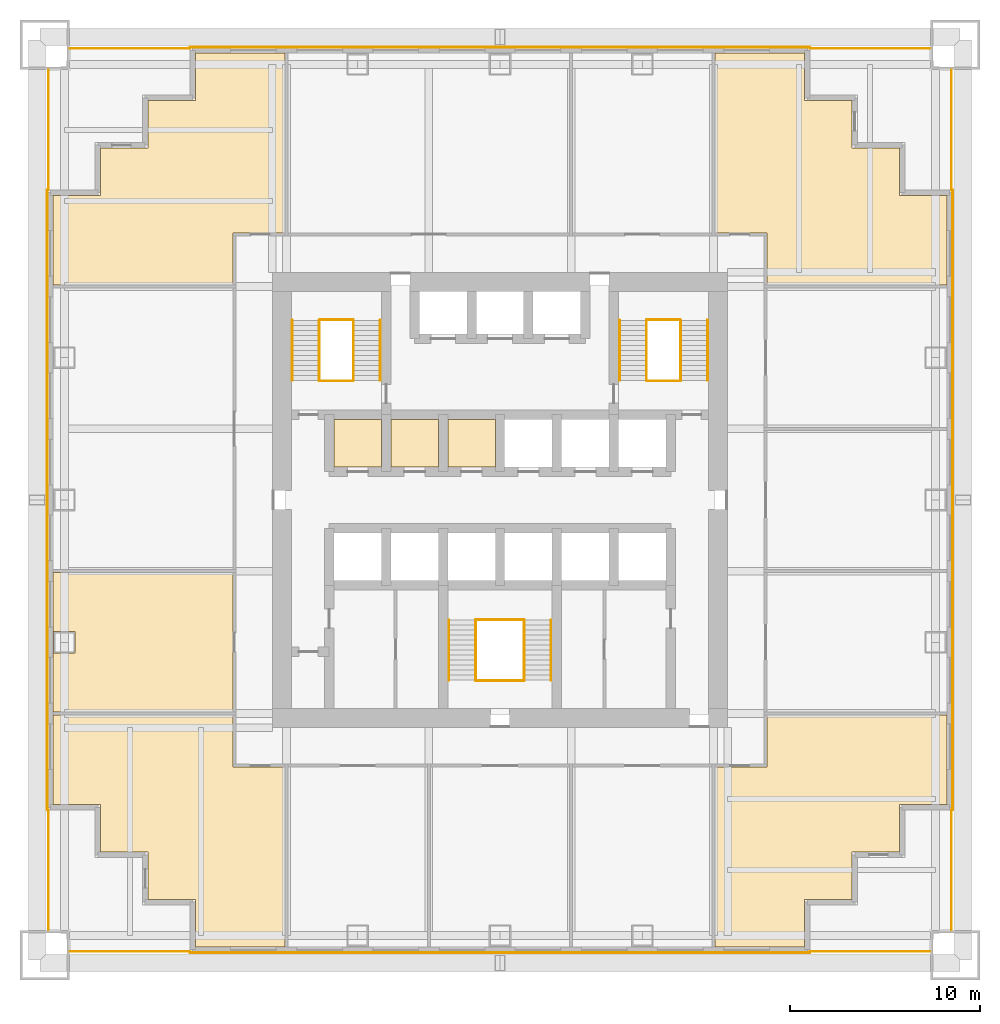
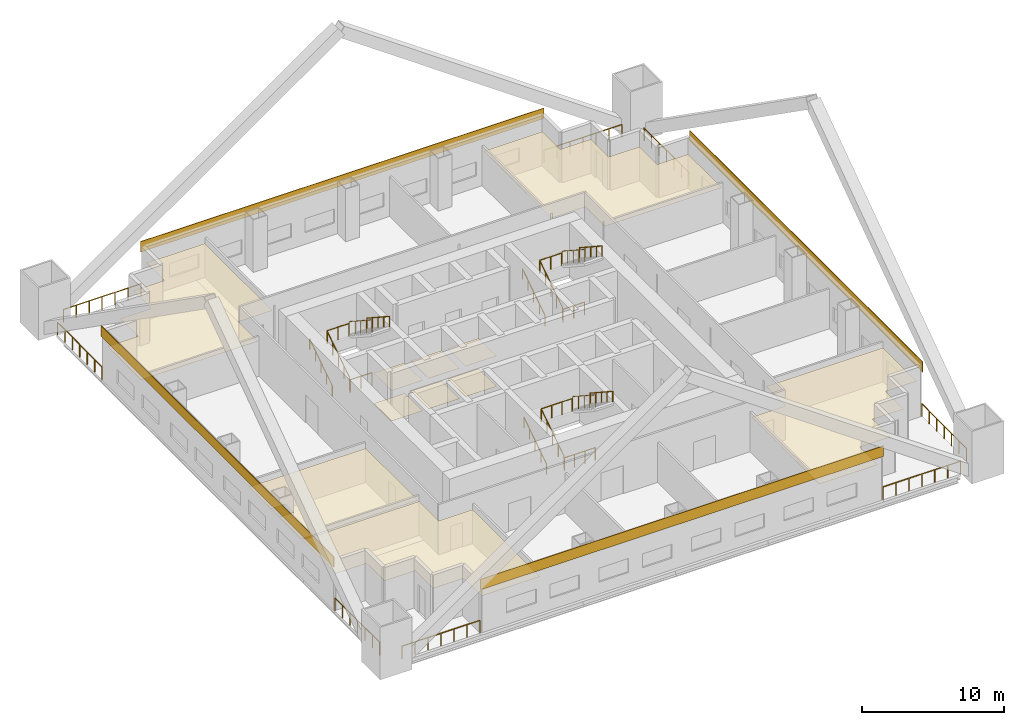
# One storey, part 6 of 6: 26 railings, 15 coverings.
"""IFC4 building model written with IfcOpenShell, lengths in metres."""

from ifc_helpers import new_model, si_unit, direction, frame, origin, origin_2d, place, context, subcontext, project, spatial, polyline, rectangle, circle, outline, extrude, material, layer, layer_set, type_object, element, save


model = new_model("IFC4")

# Units and contexts
model_context = context("Model", 3, precision=1e-05, world=origin(), true_north=direction((0.0, 1.0)))
body_context = subcontext(model_context, "Body", "Model", "MODEL_VIEW")
ifc_project = project(units=[si_unit("LENGTHUNIT", "METRE"), si_unit("AREAUNIT", "SQUARE_METRE"), si_unit("VOLUMEUNIT", "CUBIC_METRE"), si_unit("PLANEANGLEUNIT", "RADIAN"), si_unit("MASSUNIT", "GRAM", prefix="KILO")], contexts=[model_context])

# Site, building, storey
site_placement = place(None, origin())
site = spatial("IfcSite", under=ifc_project, at=site_placement, CompositionType="ELEMENT")
building_placement = place(site_placement, origin())
building = spatial("IfcBuilding", under=site, at=building_placement, Name="Tarangal Relay Tower", CompositionType="ELEMENT")
storey_placement = place(building_placement, frame((0.0, 0.0, 104.39990234375)))
storey = spatial("IfcBuildingStorey", under=building, at=storey_placement, Name="L20", CompositionType="ELEMENT", Elevation=104.39990234375)

# Coverings
ifc_material_1 = material(Name="Anti-static vinyl flooring", Category="plastic")
ifc_layer_1 = layer(ifc_material_1, 0.010009765625)
ifc_layer_set_1 = layer_set([ifc_layer_1], Name="Anti-static vinyl floor")
covering_type_1 = type_object("IfcCoveringType", Name="Anti-static vinyl floor", PredefinedType="FLOORING", material=ifc_layer_set_1)
covering_1_placement = place(storey_placement, origin())
element("IfcCovering", 1, at=covering_1_placement, inside=storey, type_object=covering_type_1, Name="Floor finish FL1 L20-D1", PredefinedType="FLOORING", context=body_context, shape_type="SweptSolid", body=[
    extrude(outline(polyline([(-8.75, 1.75), (-6.25, 1.75), (-6.25, 4.25), (-8.75, 4.25), (-8.75, 1.75)])), origin(), (0.0, 0.0, 1.0), 0.010009765625),
])
covering_2_placement = place(storey_placement, origin())
element("IfcCovering", 2, at=covering_2_placement, inside=storey, type_object=covering_type_1, Name="Floor finish FL1 L20-D2", PredefinedType="FLOORING", context=body_context, shape_type="SweptSolid", body=[
    extrude(outline(polyline([(-5.75, 1.75), (-3.25, 1.75), (-3.25, 4.25), (-5.75, 4.25), (-5.75, 1.75)])), origin(), (0.0, 0.0, 1.0), 0.010009765625),
])
covering_3_placement = place(storey_placement, origin())
element("IfcCovering", 3, at=covering_3_placement, inside=storey, type_object=covering_type_1, Name="Floor finish FL1 L20-D3", PredefinedType="FLOORING", context=body_context, shape_type="SweptSolid", body=[
    extrude(outline(polyline([(-2.75, 1.75), (-0.25, 1.75), (-0.25, 4.25), (-2.75, 4.25), (-2.75, 1.75)])), origin(), (0.0, 0.0, 1.0), 0.010009765625),
])
ifc_material_2 = material(Name="Black anodised aluminium cladding", Category="aluminium")
ifc_layer_2 = layer(ifc_material_2, 0.050048828125)
ifc_layer_set_2 = layer_set([ifc_layer_2], Name="Black metal spandrel band")
covering_type_2 = type_object("IfcCoveringType", Name="Black metal spandrel band", PredefinedType="CLADDING", material=ifc_layer_set_2)
for number, where, z_axis, x_axis, name in (
    (4, (0.0, 23.875, 3.750244140625), (0.0, 0.0, 1.0), (1.0, 0.0, 0.0), "Spandrel band SB1 N L20"),
    (5, (23.875, 0.0, 3.750244140625), (0.0, 0.0, 1.0), (0.0, -1.0, 0.0), "Spandrel band SB1 E L20"),
    (6, (0.0, -23.875, 3.750244140625), (0.0, 0.0, 1.0), (-1.0, 0.0, 0.0), "Spandrel band SB1 S L20"),
    (7, (-23.875, 0.0, 3.750244140625), (0.0, 0.0, 1.0), (0.0, 1.0, 0.0), "Spandrel band SB1 W L20"),
):
    element("IfcCovering", number, at=place(storey_placement, frame(where, z_axis=z_axis, x_axis=x_axis)), inside=storey, type_object=covering_type_2, Name=name, PredefinedType="CLADDING", context=body_context, shape_type="SweptSolid", body=[
        extrude(rectangle(XDim=32.699951171875, YDim=0.050048828125, at=origin_2d()), origin(), (0.0, 0.0, 1.0), 0.89990234375),
    ])

# Railings
ifc_material_3 = material(Name="Steel guard, black finish", Category="steel")
railing_type_1 = type_object("IfcRailingType", Name="Stair guard 1100", PredefinedType="GUARDRAIL", material=ifc_material_3)
railing_1_placement = place(storey_placement, frame((-9.530029296875, 6.300048828125, 0.173095703125)))
element("IfcRailing", 8, at=railing_1_placement, inside=storey, type_object=railing_type_1, Name="Stair ST-A guard GR1 L20 flight 1", PredefinedType="GUARDRAIL", context=body_context, shape_type="SweptSolid", body=[
    extrude(circle(Radius=0.02392578125, at=origin_2d()), frame((0.0, 0.0, 1.076171875), z_axis=(0.0, 0.83629911093, 0.548273469226), x_axis=(-1.0, 0.0, 0.0)), (0.0, 0.0, 1.0), 3.7880859375),
    extrude(circle(Radius=0.02099609375, at=origin_2d()), origin(), (0.0, 0.0, 1.0), 1.052001953125),
    extrude(circle(Radius=0.02099609375, at=origin_2d()), frame((0.0, 0.7919921875, 0.519287109375)), (0.0, 0.0, 1.0), 1.052001953125),
    extrude(circle(Radius=0.02099609375, at=origin_2d()), frame((0.0, 1.583984375, 1.03857421875)), (0.0, 0.0, 1.0), 1.052001953125),
    extrude(circle(Radius=0.02099609375, at=origin_2d()), frame((0.0, 2.3759765625, 1.5576171875)), (0.0, 0.0, 1.0), 1.052001953125),
    extrude(circle(Radius=0.02099609375, at=origin_2d()), frame((0.0, 3.16796875, 2.076904296875)), (0.0, 0.0, 1.0), 1.052001953125),
])
railing_2_placement = place(storey_placement, frame((-7.719970703125, 9.468017578125, 2.423095703125)))
element("IfcRailing", 9, at=railing_2_placement, inside=storey, type_object=railing_type_1, Name="Stair ST-A guard GR1 L20 flight 2", PredefinedType="GUARDRAIL", context=body_context, shape_type="SweptSolid", body=[
    extrude(circle(Radius=0.02392578125, at=origin_2d()), frame((0.0, 0.0, 1.076171875), z_axis=(0.0, -0.83629911093, 0.548273469226), x_axis=(1.0, 0.0, 0.0)), (0.0, 0.0, 1.0), 3.7880859375),
    extrude(circle(Radius=0.02099609375, at=origin_2d()), origin(), (0.0, 0.0, 1.0), 1.052001953125),
    extrude(circle(Radius=0.02099609375, at=origin_2d()), frame((0.0, -0.7919921875, 0.519287109375)), (0.0, 0.0, 1.0), 1.052001953125),
    extrude(circle(Radius=0.02099609375, at=origin_2d()), frame((0.0, -1.583984375, 1.03857421875)), (0.0, 0.0, 1.0), 1.052001953125),
    extrude(circle(Radius=0.02099609375, at=origin_2d()), frame((0.0, -2.3759765625, 1.5576171875)), (0.0, 0.0, 1.0), 1.052001953125),
    extrude(circle(Radius=0.02099609375, at=origin_2d()), frame((0.0, -3.16796875, 2.076904296875)), (0.0, 0.0, 1.0), 1.052001953125),
])
for number, where, name in (
    (10, (-9.5, 6.27001953125, 0.0), "Stair ST-A landing guard GR1 L20"),
    (11, (-9.5, 9.498046875, 2.25), "Stair ST-A landing guard GR1 L20"),
):
    element("IfcRailing", number, at=place(storey_placement, frame(where)), inside=storey, type_object=railing_type_1, Name=name, PredefinedType="GUARDRAIL", context=body_context, shape_type="SweptSolid", body=[
        extrude(circle(Radius=0.02392578125, at=origin_2d()), frame((0.0, 0.0, 1.076171875), z_axis=(1.0, 0.0, 0.0), x_axis=(0.0, 1.0, 0.0)), (0.0, 0.0, 1.0), 1.75),
        extrude(circle(Radius=0.02099609375, at=origin_2d()), origin(), (0.0, 0.0, 1.0), 1.052001953125),
        extrude(circle(Radius=0.02099609375, at=origin_2d()), frame((0.875, 0.0, 0.0)), (0.0, 0.0, 1.0), 1.052001953125),
        extrude(circle(Radius=0.02099609375, at=origin_2d()), frame((1.75, 0.0, 0.0)), (0.0, 0.0, 1.0), 1.052001953125),
    ])
railing_3_placement = place(storey_placement, frame((7.719970703125, 6.300048828125, 0.173095703125)))
element("IfcRailing", 12, at=railing_3_placement, inside=storey, type_object=railing_type_1, Name="Stair ST-B guard GR1 L20 flight 1", PredefinedType="GUARDRAIL", context=body_context, shape_type="SweptSolid", body=[
    extrude(circle(Radius=0.02392578125, at=origin_2d()), frame((0.0, 0.0, 1.076171875), z_axis=(0.0, 0.83629911093, 0.548273469226), x_axis=(-1.0, 0.0, 0.0)), (0.0, 0.0, 1.0), 3.7880859375),
    extrude(circle(Radius=0.02099609375, at=origin_2d()), origin(), (0.0, 0.0, 1.0), 1.052001953125),
    extrude(circle(Radius=0.02099609375, at=origin_2d()), frame((0.0, 0.7919921875, 0.519287109375)), (0.0, 0.0, 1.0), 1.052001953125),
    extrude(circle(Radius=0.02099609375, at=origin_2d()), frame((0.0, 1.583984375, 1.03857421875)), (0.0, 0.0, 1.0), 1.052001953125),
    extrude(circle(Radius=0.02099609375, at=origin_2d()), frame((0.0, 2.3759765625, 1.5576171875)), (0.0, 0.0, 1.0), 1.052001953125),
    extrude(circle(Radius=0.02099609375, at=origin_2d()), frame((0.0, 3.16796875, 2.076904296875)), (0.0, 0.0, 1.0), 1.052001953125),
])
railing_4_placement = place(storey_placement, frame((9.530029296875, 9.468017578125, 2.423095703125)))
element("IfcRailing", 13, at=railing_4_placement, inside=storey, type_object=railing_type_1, Name="Stair ST-B guard GR1 L20 flight 2", PredefinedType="GUARDRAIL", context=body_context, shape_type="SweptSolid", body=[
    extrude(circle(Radius=0.02392578125, at=origin_2d()), frame((0.0, 0.0, 1.076171875), z_axis=(0.0, -0.83629911093, 0.548273469226), x_axis=(1.0, 0.0, 0.0)), (0.0, 0.0, 1.0), 3.7880859375),
    extrude(circle(Radius=0.02099609375, at=origin_2d()), origin(), (0.0, 0.0, 1.0), 1.052001953125),
    extrude(circle(Radius=0.02099609375, at=origin_2d()), frame((0.0, -0.7919921875, 0.519287109375)), (0.0, 0.0, 1.0), 1.052001953125),
    extrude(circle(Radius=0.02099609375, at=origin_2d()), frame((0.0, -1.583984375, 1.03857421875)), (0.0, 0.0, 1.0), 1.052001953125),
    extrude(circle(Radius=0.02099609375, at=origin_2d()), frame((0.0, -2.3759765625, 1.5576171875)), (0.0, 0.0, 1.0), 1.052001953125),
    extrude(circle(Radius=0.02099609375, at=origin_2d()), frame((0.0, -3.16796875, 2.076904296875)), (0.0, 0.0, 1.0), 1.052001953125),
])
for number, where, name in (
    (14, (7.75, 6.27001953125, 0.0), "Stair ST-B landing guard GR1 L20"),
    (15, (7.75, 9.498046875, 2.25), "Stair ST-B landing guard GR1 L20"),
):
    element("IfcRailing", number, at=place(storey_placement, frame(where)), inside=storey, type_object=railing_type_1, Name=name, PredefinedType="GUARDRAIL", context=body_context, shape_type="SweptSolid", body=[
        extrude(circle(Radius=0.02392578125, at=origin_2d()), frame((0.0, 0.0, 1.076171875), z_axis=(1.0, 0.0, 0.0), x_axis=(0.0, 1.0, 0.0)), (0.0, 0.0, 1.0), 1.75),
        extrude(circle(Radius=0.02099609375, at=origin_2d()), origin(), (0.0, 0.0, 1.0), 1.052001953125),
        extrude(circle(Radius=0.02099609375, at=origin_2d()), frame((0.875, 0.0, 0.0)), (0.0, 0.0, 1.0), 1.052001953125),
        extrude(circle(Radius=0.02099609375, at=origin_2d()), frame((1.75, 0.0, 0.0)), (0.0, 0.0, 1.0), 1.052001953125),
    ])
railing_5_placement = place(storey_placement, frame((-1.280029296875, -9.5, 0.173095703125)))
element("IfcRailing", 16, at=railing_5_placement, inside=storey, type_object=railing_type_1, Name="Stair ST-C guard GR1 L20 flight 1", PredefinedType="GUARDRAIL", context=body_context, shape_type="SweptSolid", body=[
    extrude(circle(Radius=0.02392578125, at=origin_2d()), frame((0.0, 0.0, 1.076171875), z_axis=(0.0, 0.83629911093, 0.548273469226), x_axis=(-1.0, 0.0, 0.0)), (0.0, 0.0, 1.0), 3.7880859375),
    extrude(circle(Radius=0.02099609375, at=origin_2d()), origin(), (0.0, 0.0, 1.0), 1.052001953125),
    extrude(circle(Radius=0.02099609375, at=origin_2d()), frame((0.0, 0.7919921875, 0.519287109375)), (0.0, 0.0, 1.0), 1.052001953125),
    extrude(circle(Radius=0.02099609375, at=origin_2d()), frame((0.0, 1.583984375, 1.03857421875)), (0.0, 0.0, 1.0), 1.052001953125),
    extrude(circle(Radius=0.02099609375, at=origin_2d()), frame((0.0, 2.3759765625, 1.5576171875)), (0.0, 0.0, 1.0), 1.052001953125),
    extrude(circle(Radius=0.02099609375, at=origin_2d()), frame((0.0, 3.16796875, 2.076904296875)), (0.0, 0.0, 1.0), 1.052001953125),
])
railing_6_placement = place(storey_placement, frame((1.280029296875, -6.33203125, 2.423095703125)))
element("IfcRailing", 17, at=railing_6_placement, inside=storey, type_object=railing_type_1, Name="Stair ST-C guard GR1 L20 flight 2", PredefinedType="GUARDRAIL", context=body_context, shape_type="SweptSolid", body=[
    extrude(circle(Radius=0.02392578125, at=origin_2d()), frame((0.0, 0.0, 1.076171875), z_axis=(0.0, -0.83629911093, 0.548273469226), x_axis=(1.0, 0.0, 0.0)), (0.0, 0.0, 1.0), 3.7880859375),
    extrude(circle(Radius=0.02099609375, at=origin_2d()), origin(), (0.0, 0.0, 1.0), 1.052001953125),
    extrude(circle(Radius=0.02099609375, at=origin_2d()), frame((0.0, -0.7919921875, 0.519287109375)), (0.0, 0.0, 1.0), 1.052001953125),
    extrude(circle(Radius=0.02099609375, at=origin_2d()), frame((0.0, -1.583984375, 1.03857421875)), (0.0, 0.0, 1.0), 1.052001953125),
    extrude(circle(Radius=0.02099609375, at=origin_2d()), frame((0.0, -2.3759765625, 1.5576171875)), (0.0, 0.0, 1.0), 1.052001953125),
    extrude(circle(Radius=0.02099609375, at=origin_2d()), frame((0.0, -3.16796875, 2.076904296875)), (0.0, 0.0, 1.0), 1.052001953125),
])
for number, where, name in (
    (18, (-1.25, -9.530029296875, 0.0), "Stair ST-C landing guard GR1 L20"),
    (19, (-1.25, -6.302001953125, 2.25), "Stair ST-C landing guard GR1 L20"),
):
    element("IfcRailing", number, at=place(storey_placement, frame(where)), inside=storey, type_object=railing_type_1, Name=name, PredefinedType="GUARDRAIL", context=body_context, shape_type="SweptSolid", body=[
        extrude(circle(Radius=0.02392578125, at=origin_2d()), frame((0.0, 0.0, 1.076171875), z_axis=(1.0, 0.0, 0.0), x_axis=(0.0, 1.0, 0.0)), (0.0, 0.0, 1.0), 2.5),
        extrude(circle(Radius=0.02099609375, at=origin_2d()), origin(), (0.0, 0.0, 1.0), 1.052001953125),
        extrude(circle(Radius=0.02099609375, at=origin_2d()), frame((0.833251953125, 0.0, 0.0)), (0.0, 0.0, 1.0), 1.052001953125),
        extrude(circle(Radius=0.02099609375, at=origin_2d()), frame((1.666748046875, 0.0, 0.0)), (0.0, 0.0, 1.0), 1.052001953125),
        extrude(circle(Radius=0.02099609375, at=origin_2d()), frame((2.5, 0.0, 0.0)), (0.0, 0.0, 1.0), 1.052001953125),
    ])
ifc_material_4 = material(Name="Steel handrail, black finish", Category="steel")
railing_type_2 = type_object("IfcRailingType", Name="Stair handrail 900", PredefinedType="HANDRAIL", material=ifc_material_4)
railing_7_placement = place(storey_placement, frame((-10.93994140625, 6.300048828125, 0.173095703125)))
element("IfcRailing", 20, at=railing_7_placement, inside=storey, type_object=railing_type_2, Name="Stair ST-A handrail HR1 L20 flight 1", PredefinedType="HANDRAIL", context=body_context, shape_type="SweptSolid", body=[
    extrude(circle(Radius=0.02392578125, at=origin_2d()), frame((0.0, 0.0, 0.8759765625), z_axis=(0.0, 0.83629911093, 0.548273469226), x_axis=(-1.0, 0.0, 0.0)), (0.0, 0.0, 1.0), 3.7880859375),
    extrude(circle(Radius=0.02099609375, at=origin_2d()), origin(), (0.0, 0.0, 1.0), 0.851806640625),
    extrude(circle(Radius=0.02099609375, at=origin_2d()), frame((0.0, 0.7919921875, 0.519287109375)), (0.0, 0.0, 1.0), 0.851806640625),
    extrude(circle(Radius=0.02099609375, at=origin_2d()), frame((0.0, 1.583984375, 1.03857421875)), (0.0, 0.0, 1.0), 0.851806640625),
    extrude(circle(Radius=0.02099609375, at=origin_2d()), frame((0.0, 2.3759765625, 1.5576171875)), (0.0, 0.0, 1.0), 0.851806640625),
    extrude(circle(Radius=0.02099609375, at=origin_2d()), frame((0.0, 3.16796875, 2.076904296875)), (0.0, 0.0, 1.0), 0.851806640625),
])
railing_8_placement = place(storey_placement, frame((-6.31005859375, 9.468017578125, 2.423095703125)))
element("IfcRailing", 21, at=railing_8_placement, inside=storey, type_object=railing_type_2, Name="Stair ST-A handrail HR1 L20 flight 2", PredefinedType="HANDRAIL", context=body_context, shape_type="SweptSolid", body=[
    extrude(circle(Radius=0.02392578125, at=origin_2d()), frame((0.0, 0.0, 0.8759765625), z_axis=(0.0, -0.83629911093, 0.548273469226), x_axis=(1.0, 0.0, 0.0)), (0.0, 0.0, 1.0), 3.7880859375),
    extrude(circle(Radius=0.02099609375, at=origin_2d()), origin(), (0.0, 0.0, 1.0), 0.851806640625),
    extrude(circle(Radius=0.02099609375, at=origin_2d()), frame((0.0, -0.7919921875, 0.519287109375)), (0.0, 0.0, 1.0), 0.851806640625),
    extrude(circle(Radius=0.02099609375, at=origin_2d()), frame((0.0, -1.583984375, 1.03857421875)), (0.0, 0.0, 1.0), 0.851806640625),
    extrude(circle(Radius=0.02099609375, at=origin_2d()), frame((0.0, -2.3759765625, 1.5576171875)), (0.0, 0.0, 1.0), 0.851806640625),
    extrude(circle(Radius=0.02099609375, at=origin_2d()), frame((0.0, -3.16796875, 2.076904296875)), (0.0, 0.0, 1.0), 0.851806640625),
])
railing_9_placement = place(storey_placement, frame((6.31005859375, 6.300048828125, 0.173095703125)))
element("IfcRailing", 22, at=railing_9_placement, inside=storey, type_object=railing_type_2, Name="Stair ST-B handrail HR1 L20 flight 1", PredefinedType="HANDRAIL", context=body_context, shape_type="SweptSolid", body=[
    extrude(circle(Radius=0.02392578125, at=origin_2d()), frame((0.0, 0.0, 0.8759765625), z_axis=(0.0, 0.83629911093, 0.548273469226), x_axis=(-1.0, 0.0, 0.0)), (0.0, 0.0, 1.0), 3.7880859375),
    extrude(circle(Radius=0.02099609375, at=origin_2d()), origin(), (0.0, 0.0, 1.0), 0.851806640625),
    extrude(circle(Radius=0.02099609375, at=origin_2d()), frame((0.0, 0.7919921875, 0.519287109375)), (0.0, 0.0, 1.0), 0.851806640625),
    extrude(circle(Radius=0.02099609375, at=origin_2d()), frame((0.0, 1.583984375, 1.03857421875)), (0.0, 0.0, 1.0), 0.851806640625),
    extrude(circle(Radius=0.02099609375, at=origin_2d()), frame((0.0, 2.3759765625, 1.5576171875)), (0.0, 0.0, 1.0), 0.851806640625),
    extrude(circle(Radius=0.02099609375, at=origin_2d()), frame((0.0, 3.16796875, 2.076904296875)), (0.0, 0.0, 1.0), 0.851806640625),
])
railing_10_placement = place(storey_placement, frame((10.93994140625, 9.468017578125, 2.423095703125)))
element("IfcRailing", 23, at=railing_10_placement, inside=storey, type_object=railing_type_2, Name="Stair ST-B handrail HR1 L20 flight 2", PredefinedType="HANDRAIL", context=body_context, shape_type="SweptSolid", body=[
    extrude(circle(Radius=0.02392578125, at=origin_2d()), frame((0.0, 0.0, 0.8759765625), z_axis=(0.0, -0.83629911093, 0.548273469226), x_axis=(1.0, 0.0, 0.0)), (0.0, 0.0, 1.0), 3.7880859375),
    extrude(circle(Radius=0.02099609375, at=origin_2d()), origin(), (0.0, 0.0, 1.0), 0.851806640625),
    extrude(circle(Radius=0.02099609375, at=origin_2d()), frame((0.0, -0.7919921875, 0.519287109375)), (0.0, 0.0, 1.0), 0.851806640625),
    extrude(circle(Radius=0.02099609375, at=origin_2d()), frame((0.0, -1.583984375, 1.03857421875)), (0.0, 0.0, 1.0), 0.851806640625),
    extrude(circle(Radius=0.02099609375, at=origin_2d()), frame((0.0, -2.3759765625, 1.5576171875)), (0.0, 0.0, 1.0), 0.851806640625),
    extrude(circle(Radius=0.02099609375, at=origin_2d()), frame((0.0, -3.16796875, 2.076904296875)), (0.0, 0.0, 1.0), 0.851806640625),
])
railing_11_placement = place(storey_placement, frame((-2.68994140625, -9.5, 0.173095703125)))
element("IfcRailing", 24, at=railing_11_placement, inside=storey, type_object=railing_type_2, Name="Stair ST-C handrail HR1 L20 flight 1", PredefinedType="HANDRAIL", context=body_context, shape_type="SweptSolid", body=[
    extrude(circle(Radius=0.02392578125, at=origin_2d()), frame((0.0, 0.0, 0.8759765625), z_axis=(0.0, 0.83629911093, 0.548273469226), x_axis=(-1.0, 0.0, 0.0)), (0.0, 0.0, 1.0), 3.7880859375),
    extrude(circle(Radius=0.02099609375, at=origin_2d()), origin(), (0.0, 0.0, 1.0), 0.851806640625),
    extrude(circle(Radius=0.02099609375, at=origin_2d()), frame((0.0, 0.7919921875, 0.519287109375)), (0.0, 0.0, 1.0), 0.851806640625),
    extrude(circle(Radius=0.02099609375, at=origin_2d()), frame((0.0, 1.583984375, 1.03857421875)), (0.0, 0.0, 1.0), 0.851806640625),
    extrude(circle(Radius=0.02099609375, at=origin_2d()), frame((0.0, 2.3759765625, 1.5576171875)), (0.0, 0.0, 1.0), 0.851806640625),
    extrude(circle(Radius=0.02099609375, at=origin_2d()), frame((0.0, 3.16796875, 2.076904296875)), (0.0, 0.0, 1.0), 0.851806640625),
])
railing_12_placement = place(storey_placement, frame((2.68994140625, -6.33203125, 2.423095703125)))
element("IfcRailing", 25, at=railing_12_placement, inside=storey, type_object=railing_type_2, Name="Stair ST-C handrail HR1 L20 flight 2", PredefinedType="HANDRAIL", context=body_context, shape_type="SweptSolid", body=[
    extrude(circle(Radius=0.02392578125, at=origin_2d()), frame((0.0, 0.0, 0.8759765625), z_axis=(0.0, -0.83629911093, 0.548273469226), x_axis=(1.0, 0.0, 0.0)), (0.0, 0.0, 1.0), 3.7880859375),
    extrude(circle(Radius=0.02099609375, at=origin_2d()), origin(), (0.0, 0.0, 1.0), 0.851806640625),
    extrude(circle(Radius=0.02099609375, at=origin_2d()), frame((0.0, -0.7919921875, 0.519287109375)), (0.0, 0.0, 1.0), 0.851806640625),
    extrude(circle(Radius=0.02099609375, at=origin_2d()), frame((0.0, -1.583984375, 1.03857421875)), (0.0, 0.0, 1.0), 0.851806640625),
    extrude(circle(Radius=0.02099609375, at=origin_2d()), frame((0.0, -2.3759765625, 1.5576171875)), (0.0, 0.0, 1.0), 0.851806640625),
    extrude(circle(Radius=0.02099609375, at=origin_2d()), frame((0.0, -3.16796875, 2.076904296875)), (0.0, 0.0, 1.0), 0.851806640625),
])

# Coverings
ifc_material_5 = material(Name="Mineral fibre ceiling tiles", Category="gypsum")
ifc_layer_3 = layer(ifc_material_5, 0.02001953125)
ifc_layer_set_3 = layer_set([ifc_layer_3], Name="Suspended ceiling")
covering_type_3 = type_object("IfcCoveringType", Name="Suspended ceiling", PredefinedType="CEILING", material=ifc_layer_set_3)
covering_4_placement = place(storey_placement, frame((0.0, 0.0, 2.60009765625)))
element("IfcCovering", 26, at=covering_4_placement, inside=storey, type_object=covering_type_3, Name="Suspended ceiling CL1 L20-D1", PredefinedType="CEILING", context=body_context, shape_type="SweptSolid", body=[
    extrude(outline(polyline([(-8.75, 1.75), (-6.25, 1.75), (-6.25, 4.25), (-8.75, 4.25), (-8.75, 1.75)])), origin(), (0.0, 0.0, 1.0), 0.02001953125),
])
covering_5_placement = place(storey_placement, frame((0.0, 0.0, 2.60009765625)))
element("IfcCovering", 27, at=covering_5_placement, inside=storey, type_object=covering_type_3, Name="Suspended ceiling CL1 L20-D2", PredefinedType="CEILING", context=body_context, shape_type="SweptSolid", body=[
    extrude(outline(polyline([(-5.75, 1.75), (-3.25, 1.75), (-3.25, 4.25), (-5.75, 4.25), (-5.75, 1.75)])), origin(), (0.0, 0.0, 1.0), 0.02001953125),
])
covering_6_placement = place(storey_placement, frame((0.0, 0.0, 2.60009765625)))
element("IfcCovering", 28, at=covering_6_placement, inside=storey, type_object=covering_type_3, Name="Suspended ceiling CL1 L20-D3", PredefinedType="CEILING", context=body_context, shape_type="SweptSolid", body=[
    extrude(outline(polyline([(-2.75, 1.75), (-0.25, 1.75), (-0.25, 4.25), (-2.75, 4.25), (-2.75, 1.75)])), origin(), (0.0, 0.0, 1.0), 0.02001953125),
])
covering_7_placement = place(storey_placement, frame((0.0, 0.0, 2.900146484375)))
element("IfcCovering", 29, at=covering_7_placement, inside=storey, type_object=covering_type_3, Name="Suspended ceiling CL1 L20-10", PredefinedType="CEILING", context=body_context, shape_type="SweptSolid", body=[
    extrude(outline(polyline([(-23.550048828125, -3.824951171875), (-23.550048828125, -11.175048828125), (-14.074951171875, -11.175048828125), (-14.074951171875, -3.824951171875), (-23.550048828125, -3.824951171875)]), holes=[polyline([(-22.389892578125, -6.925048828125), (-23.5400390625, -6.925048828125), (-23.5400390625, -8.074951171875), (-22.389892578125, -8.074951171875), (-22.389892578125, -6.925048828125)])]), origin(), (0.0, 0.0, 1.0), 0.02001953125),
])
covering_8_placement = place(storey_placement, frame((0.0, 0.0, 2.900146484375)))
element("IfcCovering", 30, at=covering_8_placement, inside=storey, type_object=covering_type_3, Name="Suspended ceiling CL1 L20-12", PredefinedType="CEILING", context=body_context, shape_type="SweptSolid", body=[
    extrude(outline(polyline([(16.050048828125, 23.550048828125), (11.324951171875, 23.550048828125), (11.324951171875, 14.074951171875), (14.074951171875, 14.074951171875), (14.074951171875, 11.324951171875), (23.550048828125, 11.324951171875), (23.550048828125, 16.050048828125), (21.050048828125, 16.050048828125), (21.050048828125, 18.550048828125), (18.550048828125, 18.550048828125), (18.550048828125, 21.050048828125), (16.050048828125, 21.050048828125), (16.050048828125, 23.550048828125)])), origin(), (0.0, 0.0, 1.0), 0.02001953125),
])
covering_9_placement = place(storey_placement, frame((0.0, 0.0, 2.900146484375)))
element("IfcCovering", 31, at=covering_9_placement, inside=storey, type_object=covering_type_3, Name="Suspended ceiling CL1 L20-13", PredefinedType="CEILING", context=body_context, shape_type="SweptSolid", body=[
    extrude(outline(polyline([(23.550048828125, -16.050048828125), (23.550048828125, -11.324951171875), (14.074951171875, -11.324951171875), (14.074951171875, -14.074951171875), (11.324951171875, -14.074951171875), (11.324951171875, -23.550048828125), (16.050048828125, -23.550048828125), (16.050048828125, -21.050048828125), (18.550048828125, -21.050048828125), (18.550048828125, -18.550048828125), (21.050048828125, -18.550048828125), (21.050048828125, -16.050048828125), (23.550048828125, -16.050048828125)])), origin(), (0.0, 0.0, 1.0), 0.02001953125),
])
covering_10_placement = place(storey_placement, frame((0.0, 0.0, 2.900146484375)))
element("IfcCovering", 32, at=covering_10_placement, inside=storey, type_object=covering_type_3, Name="Suspended ceiling CL1 L20-14", PredefinedType="CEILING", context=body_context, shape_type="SweptSolid", body=[
    extrude(outline(polyline([(-16.050048828125, -21.050048828125), (-16.050048828125, -23.550048828125), (-11.324951171875, -23.550048828125), (-11.324951171875, -14.074951171875), (-14.074951171875, -14.074951171875), (-14.074951171875, -11.324951171875), (-23.550048828125, -11.324951171875), (-23.550048828125, -16.050048828125), (-21.050048828125, -16.050048828125), (-21.050048828125, -18.550048828125), (-18.550048828125, -18.550048828125), (-18.550048828125, -21.050048828125), (-16.050048828125, -21.050048828125)])), origin(), (0.0, 0.0, 1.0), 0.02001953125),
])
covering_11_placement = place(storey_placement, frame((0.0, 0.0, 2.900146484375)))
element("IfcCovering", 33, at=covering_11_placement, inside=storey, type_object=covering_type_3, Name="Suspended ceiling CL1 L20-15", PredefinedType="CEILING", context=body_context, shape_type="SweptSolid", body=[
    extrude(outline(polyline([(-21.050048828125, 16.050048828125), (-23.550048828125, 16.050048828125), (-23.550048828125, 11.324951171875), (-14.074951171875, 11.324951171875), (-14.074951171875, 14.074951171875), (-11.324951171875, 14.074951171875), (-11.324951171875, 23.550048828125), (-16.050048828125, 23.550048828125), (-16.050048828125, 21.050048828125), (-18.550048828125, 21.050048828125), (-18.550048828125, 18.550048828125), (-21.050048828125, 18.550048828125), (-21.050048828125, 16.050048828125)])), origin(), (0.0, 0.0, 1.0), 0.02001953125),
])

# Railings
ifc_material_6 = material(Name="Black steel guard with glass infill", Category="steel")
railing_type_3 = type_object("IfcRailingType", Name="Terrace guard 1100", PredefinedType="GUARDRAIL", material=ifc_material_6)
railing_13_placement = place(storey_placement, frame((16.35009765625, 23.800048828125, 0.0)))
element("IfcRailing", 34, at=railing_13_placement, inside=storey, type_object=railing_type_3, Name="Terrace guard GR2 NE L20", PredefinedType="GUARDRAIL", context=body_context, shape_type="SweptSolid", body=[
    extrude(circle(Radius=0.02392578125, at=origin_2d()), frame((0.0, 0.0, 1.076171875), z_axis=(1.0, 0.0, 0.0), x_axis=(0.0, 1.0, 0.0)), (0.0, 0.0, 1.0), 6.2998046875),
    extrude(circle(Radius=0.02099609375, at=origin_2d()), origin(), (0.0, 0.0, 1.0), 1.052001953125),
    extrude(circle(Radius=0.02099609375, at=origin_2d()), frame((1.050048828125, 0.0, 0.0)), (0.0, 0.0, 1.0), 1.052001953125),
    extrude(circle(Radius=0.02099609375, at=origin_2d()), frame((2.099853515625, 0.0, 0.0)), (0.0, 0.0, 1.0), 1.052001953125),
    extrude(circle(Radius=0.02099609375, at=origin_2d()), frame((3.14990234375, 0.0, 0.0)), (0.0, 0.0, 1.0), 1.052001953125),
    extrude(circle(Radius=0.02099609375, at=origin_2d()), frame((4.199951171875, 0.0, 0.0)), (0.0, 0.0, 1.0), 1.052001953125),
    extrude(circle(Radius=0.02099609375, at=origin_2d()), frame((5.249755859375, 0.0, 0.0)), (0.0, 0.0, 1.0), 1.052001953125),
    extrude(circle(Radius=0.02099609375, at=origin_2d()), frame((6.2998046875, 0.0, 0.0)), (0.0, 0.0, 1.0), 1.052001953125),
])
for number, where, name in (
    (35, (23.800048828125, 22.64990234375, 0.0), "Terrace guard GR2 NE L20"),
    (36, (23.800048828125, -16.35009765625, 0.0), "Terrace guard GR2 SE L20"),
):
    element("IfcRailing", number, at=place(storey_placement, frame(where)), inside=storey, type_object=railing_type_3, Name=name, PredefinedType="GUARDRAIL", context=body_context, shape_type="SweptSolid", body=[
        extrude(circle(Radius=0.02392578125, at=origin_2d()), frame((0.0, 0.0, 1.076171875), z_axis=(0.0, -1.0, 0.0), x_axis=(1.0, 0.0, 0.0)), (0.0, 0.0, 1.0), 6.2998046875),
        extrude(circle(Radius=0.02099609375, at=origin_2d()), origin(), (0.0, 0.0, 1.0), 1.052001953125),
        extrude(circle(Radius=0.02099609375, at=origin_2d()), frame((0.0, -1.050048828125, 0.0)), (0.0, 0.0, 1.0), 1.052001953125),
        extrude(circle(Radius=0.02099609375, at=origin_2d()), frame((0.0, -2.099853515625, 0.0)), (0.0, 0.0, 1.0), 1.052001953125),
        extrude(circle(Radius=0.02099609375, at=origin_2d()), frame((0.0, -3.14990234375, 0.0)), (0.0, 0.0, 1.0), 1.052001953125),
        extrude(circle(Radius=0.02099609375, at=origin_2d()), frame((0.0, -4.199951171875, 0.0)), (0.0, 0.0, 1.0), 1.052001953125),
        extrude(circle(Radius=0.02099609375, at=origin_2d()), frame((0.0, -5.249755859375, 0.0)), (0.0, 0.0, 1.0), 1.052001953125),
        extrude(circle(Radius=0.02099609375, at=origin_2d()), frame((0.0, -6.2998046875, 0.0)), (0.0, 0.0, 1.0), 1.052001953125),
    ])
for number, where, name in (
    (37, (22.64990234375, -23.800048828125, 0.0), "Terrace guard GR2 SE L20"),
    (38, (-16.35009765625, -23.800048828125, 0.0), "Terrace guard GR2 SW L20"),
):
    element("IfcRailing", number, at=place(storey_placement, frame(where)), inside=storey, type_object=railing_type_3, Name=name, PredefinedType="GUARDRAIL", context=body_context, shape_type="SweptSolid", body=[
        extrude(circle(Radius=0.02392578125, at=origin_2d()), frame((0.0, 0.0, 1.076171875), z_axis=(-1.0, 0.0, 0.0), x_axis=(0.0, -1.0, 0.0)), (0.0, 0.0, 1.0), 6.2998046875),
        extrude(circle(Radius=0.02099609375, at=origin_2d()), origin(), (0.0, 0.0, 1.0), 1.052001953125),
        extrude(circle(Radius=0.02099609375, at=origin_2d()), frame((-1.050048828125, 0.0, 0.0)), (0.0, 0.0, 1.0), 1.052001953125),
        extrude(circle(Radius=0.02099609375, at=origin_2d()), frame((-2.099853515625, 0.0, 0.0)), (0.0, 0.0, 1.0), 1.052001953125),
        extrude(circle(Radius=0.02099609375, at=origin_2d()), frame((-3.14990234375, 0.0, 0.0)), (0.0, 0.0, 1.0), 1.052001953125),
        extrude(circle(Radius=0.02099609375, at=origin_2d()), frame((-4.199951171875, 0.0, 0.0)), (0.0, 0.0, 1.0), 1.052001953125),
        extrude(circle(Radius=0.02099609375, at=origin_2d()), frame((-5.249755859375, 0.0, 0.0)), (0.0, 0.0, 1.0), 1.052001953125),
        extrude(circle(Radius=0.02099609375, at=origin_2d()), frame((-6.2998046875, 0.0, 0.0)), (0.0, 0.0, 1.0), 1.052001953125),
    ])
for number, where, name in (
    (39, (-23.800048828125, -22.64990234375, 0.0), "Terrace guard GR2 SW L20"),
    (40, (-23.800048828125, 16.35009765625, 0.0), "Terrace guard GR2 NW L20"),
):
    element("IfcRailing", number, at=place(storey_placement, frame(where)), inside=storey, type_object=railing_type_3, Name=name, PredefinedType="GUARDRAIL", context=body_context, shape_type="SweptSolid", body=[
        extrude(circle(Radius=0.02392578125, at=origin_2d()), frame((0.0, 0.0, 1.076171875), z_axis=(0.0, 1.0, 0.0), x_axis=(-1.0, 0.0, 0.0)), (0.0, 0.0, 1.0), 6.2998046875),
        extrude(circle(Radius=0.02099609375, at=origin_2d()), origin(), (0.0, 0.0, 1.0), 1.052001953125),
        extrude(circle(Radius=0.02099609375, at=origin_2d()), frame((0.0, 1.050048828125, 0.0)), (0.0, 0.0, 1.0), 1.052001953125),
        extrude(circle(Radius=0.02099609375, at=origin_2d()), frame((0.0, 2.099853515625, 0.0)), (0.0, 0.0, 1.0), 1.052001953125),
        extrude(circle(Radius=0.02099609375, at=origin_2d()), frame((0.0, 3.14990234375, 0.0)), (0.0, 0.0, 1.0), 1.052001953125),
        extrude(circle(Radius=0.02099609375, at=origin_2d()), frame((0.0, 4.199951171875, 0.0)), (0.0, 0.0, 1.0), 1.052001953125),
        extrude(circle(Radius=0.02099609375, at=origin_2d()), frame((0.0, 5.249755859375, 0.0)), (0.0, 0.0, 1.0), 1.052001953125),
        extrude(circle(Radius=0.02099609375, at=origin_2d()), frame((0.0, 6.2998046875, 0.0)), (0.0, 0.0, 1.0), 1.052001953125),
    ])
railing_14_placement = place(storey_placement, frame((-22.64990234375, 23.800048828125, 0.0)))
element("IfcRailing", 41, at=railing_14_placement, inside=storey, type_object=railing_type_3, Name="Terrace guard GR2 NW L20", PredefinedType="GUARDRAIL", context=body_context, shape_type="SweptSolid", body=[
    extrude(circle(Radius=0.02392578125, at=origin_2d()), frame((0.0, 0.0, 1.076171875), z_axis=(1.0, 0.0, 0.0), x_axis=(0.0, 1.0, 0.0)), (0.0, 0.0, 1.0), 6.2998046875),
    extrude(circle(Radius=0.02099609375, at=origin_2d()), origin(), (0.0, 0.0, 1.0), 1.052001953125),
    extrude(circle(Radius=0.02099609375, at=origin_2d()), frame((1.050048828125, 0.0, 0.0)), (0.0, 0.0, 1.0), 1.052001953125),
    extrude(circle(Radius=0.02099609375, at=origin_2d()), frame((2.099853515625, 0.0, 0.0)), (0.0, 0.0, 1.0), 1.052001953125),
    extrude(circle(Radius=0.02099609375, at=origin_2d()), frame((3.14990234375, 0.0, 0.0)), (0.0, 0.0, 1.0), 1.052001953125),
    extrude(circle(Radius=0.02099609375, at=origin_2d()), frame((4.199951171875, 0.0, 0.0)), (0.0, 0.0, 1.0), 1.052001953125),
    extrude(circle(Radius=0.02099609375, at=origin_2d()), frame((5.249755859375, 0.0, 0.0)), (0.0, 0.0, 1.0), 1.052001953125),
    extrude(circle(Radius=0.02099609375, at=origin_2d()), frame((6.2998046875, 0.0, 0.0)), (0.0, 0.0, 1.0), 1.052001953125),
])

save(model, "model.ifc")
